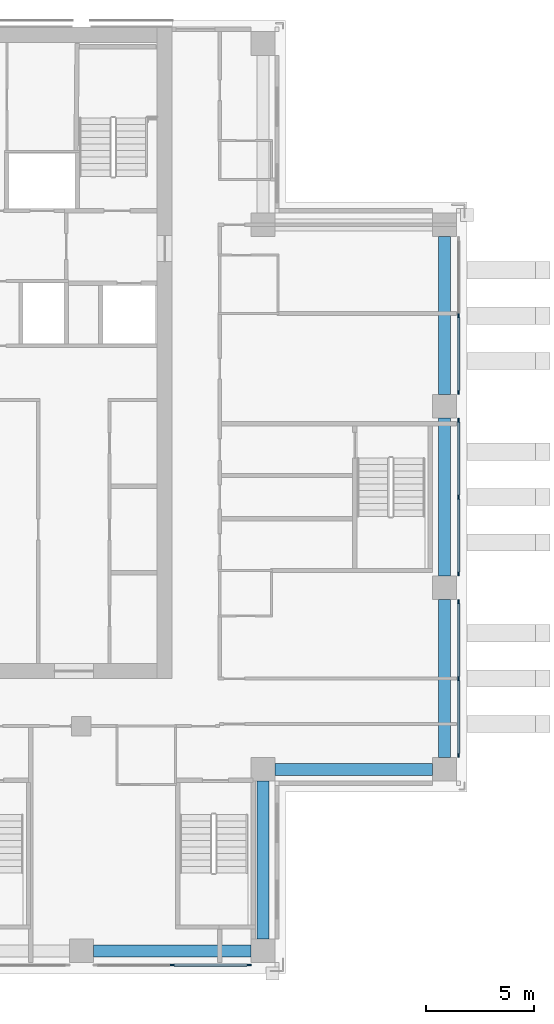
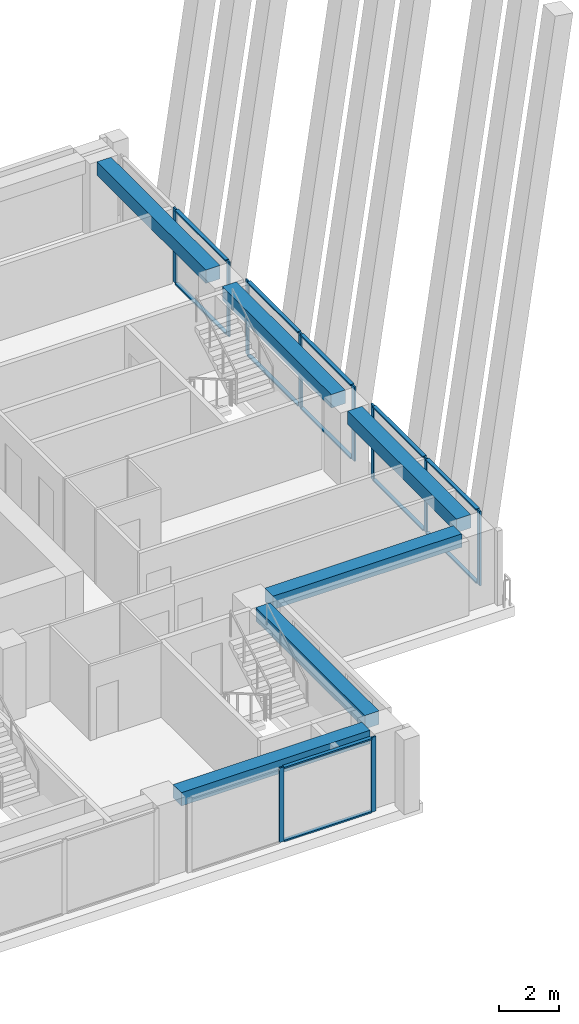
# One storey, part 4 of 15: 22 members, 6 beams, 4 elements without a shape of their own.
"""IFC4 building model written with IfcOpenShell, lengths in metres."""

import ifcopenshell
import ifcopenshell.guid

model = None  # the IFC model being written
_history = None  # IfcOwnerHistory: only IFC2X3 demands one
_inside = {}  # id of a spatial element -> (the spatial element, [elements in it])
_under = {}  # id of a project, library or spatial element -> (it, [spatial elements below it])
_declared = {}  # id of a project -> (the project, [libraries it declares])
_typed = {}  # id of a type object -> (the type object, [elements of that type])
_made_of = {}  # id of a material, layer set ... -> (it, [elements and type objects made of it])


def new_model(schema):
    """Start an empty IFC model of exactly this schema.

    Asked for "IFC4X3", IfcOpenShell would pick the latest addendum, in which some entities
    have other attributes; the version numbers below select the first issue.
    IFC2X3 requires an IfcOwnerHistory on every rooted entity: one is made here for all.
    """
    global model, _history
    if schema == "IFC4X3":
        model = ifcopenshell.file(schema_version=(4, 3, 0, 0))
    else:
        model = ifcopenshell.file(schema=schema)
    _inside.clear()
    _under.clear()
    _declared.clear()
    _typed.clear()
    _made_of.clear()
    _history = None
    if model.schema == "IFC2X3":
        org = make("IfcOrganization", Name="unknown")
        user = make(
            "IfcPersonAndOrganization",
            ThePerson=make("IfcPerson", FamilyName="unknown"),
            TheOrganization=org,
        )
        app = make(
            "IfcApplication",
            ApplicationDeveloper=org,
            Version="unknown",
            ApplicationFullName="unknown",
            ApplicationIdentifier="unknown",
        )
        _history = make(
            "IfcOwnerHistory",
            OwningUser=user,
            OwningApplication=app,
            ChangeAction="ADDED",
            CreationDate=0,
        )
    return model


def make(cls, **values):
    """One entity of the class cls with the attributes given. An attribute that is None is left unset."""
    return model.create_entity(
        cls, **{name: value for name, value in values.items() if value is not None}
    )


def rooted(cls, **values):
    """An entity with a GlobalId (a new one), such as an element, a storey or a relation."""
    return make(cls, GlobalId=ifcopenshell.guid.new(), OwnerHistory=_history, **values)


def si_unit(unit_type, name, prefix=None):
    """IfcSIUnit, for example si_unit("LENGTHUNIT", "METRE", prefix="MILLI")."""
    return make("IfcSIUnit", UnitType=unit_type, Prefix=prefix, Name=name)


def assignment(units):
    """IfcUnitAssignment: the units of a project."""
    return None if units is None else make("IfcUnitAssignment", Units=units)


def point(xyz):
    """IfcCartesianPoint."""
    return None if xyz is None else make("IfcCartesianPoint", Coordinates=xyz)


def direction(xyz):
    """IfcDirection."""
    return None if xyz is None else make("IfcDirection", DirectionRatios=xyz)


def frame(location, z_axis=None, x_axis=None):
    """IfcAxis2Placement3D, a coordinate frame: its origin and axes. An axis left out is left unset."""
    return make(
        "IfcAxis2Placement3D",
        Location=point(location),
        Axis=direction(z_axis),
        RefDirection=direction(x_axis),
    )


def frame_2d(location, x_axis=None):
    """IfcAxis2Placement2D, a coordinate frame in the plane: its origin and x axis."""
    return make(
        "IfcAxis2Placement2D", Location=point(location), RefDirection=direction(x_axis)
    )


def origin():
    """The frame at (0, 0, 0) with its axes left unset."""
    return frame((0.0, 0.0, 0.0))


def origin_2d():
    """The frame at (0, 0) in the plane with its x axis left unset."""
    return frame_2d((0.0, 0.0))


def place(relative_to, where):
    """IfcLocalPlacement: puts the frame where relative to a parent placement (None: the world)."""
    return make(
        "IfcLocalPlacement", PlacementRelTo=relative_to, RelativePlacement=where
    )


def context(
    kind, dimensions, precision=None, world=None, true_north=None, identifier=None
):
    """IfcGeometricRepresentationContext, for example the 3D "Model" context."""
    return make(
        "IfcGeometricRepresentationContext",
        ContextIdentifier=identifier,
        ContextType=kind,
        CoordinateSpaceDimension=dimensions,
        Precision=precision,
        WorldCoordinateSystem=world,
        TrueNorth=true_north,
    )


def subcontext(parent, identifier, kind, view, scale=None):
    """IfcGeometricRepresentationSubContext, for example "Body" below "Model"."""
    return make(
        "IfcGeometricRepresentationSubContext",
        ContextIdentifier=identifier,
        ContextType=kind,
        ParentContext=parent,
        TargetScale=scale,
        TargetView=view,
    )


def project(units=None, contexts=None):
    """IfcProject with its units and contexts."""
    return rooted(
        "IfcProject",
        Name="project",
        RepresentationContexts=contexts,
        UnitsInContext=assignment(units),
    )


def spatial(cls, under=None, at=None, **own):
    """A site, building, storey or space (cls), placed at a placement, below another one or the project."""
    s = rooted(cls, ObjectPlacement=at, **own)
    if under is not None:
        _under.setdefault(under.id(), (under, []))[1].append(s)
    return s


def profile(cls, at=None, kind="AREA", **sizes):
    """A parametric profile (cls). Its sizes go by their IFC names, for example OverallWidth=200.0."""
    return make(cls, ProfileType=kind, Position=at, **sizes)


def rectangle(**sizes):
    """IfcRectangleProfileDef."""
    return profile("IfcRectangleProfileDef", **sizes)


def extrude(swept, where, along, depth):
    """IfcExtrudedAreaSolid: the profile swept, set in the frame where, extruded along a direction by depth."""
    return make(
        "IfcExtrudedAreaSolid",
        SweptArea=swept,
        Position=where,
        ExtrudedDirection=direction(along),
        Depth=depth,
    )


def shape(context_of_items, identifier, shape_type, items):
    """IfcShapeRepresentation: the items that make up one representation, for example the "Body"."""
    return make(
        "IfcShapeRepresentation",
        ContextOfItems=context_of_items,
        RepresentationIdentifier=identifier,
        RepresentationType=shape_type,
        Items=items,
    )


def material(Name=None, Category=None):
    """IfcMaterial."""
    return make("IfcMaterial", Name=Name, Category=Category)


def material_profile(
    of_material, cross_section, Name=None, Category=None, Priority=None
):
    """IfcMaterialProfile: a cross section and its material."""
    return make(
        "IfcMaterialProfile",
        Name=Name,
        Material=of_material,
        Profile=cross_section,
        Priority=Priority,
        Category=Category,
    )


def profile_set(profiles, Name=None, composite=None):
    """IfcMaterialProfileSet."""
    return make(
        "IfcMaterialProfileSet",
        Name=Name,
        MaterialProfiles=profiles,
        CompositeProfile=composite,
    )


def made_of(thing, what):
    """Note that an element or type object is made of a material, layer set ...; save() writes the relation."""
    if what is not None:
        _made_of.setdefault(what.id(), (what, []))[1].append(thing)
    return thing


def type_object(cls, material=None, **own):
    """A type object (cls), such as IfcWallType, which elements share."""
    return made_of(rooted(cls, **own), material)


def element(
    cls,
    number,
    at=None,
    inside=None,
    cuts=None,
    type_object=None,
    material=None,
    context=None,
    identifier="Body",
    shape_type=None,
    held_by="IfcProductDefinitionShape",
    body=None,
    shapes=None,
    **own,
):
    """One element of the class cls, such as IfcWall. Its Tag is "e" and its number.

    at: its placement. inside: the storey or other place that contains it. cuts: it is an
    opening in that element (IfcRelVoidsElement). A single representation is given by context,
    identifier, shape_type and body (its items); several are given by shapes. held_by: the class
    of the entity that holds the representations. save() writes the other relations.
    """
    e = rooted(cls, Tag="e%d" % number, ObjectPlacement=at, **own)
    if body is not None:
        shapes = [shape(context, identifier, shape_type, body)]
    if shapes is not None:
        e.Representation = make(held_by, Representations=shapes)
    if inside is not None:
        _inside.setdefault(inside.id(), (inside, []))[1].append(e)
    if cuts is not None:
        rooted(
            "IfcRelVoidsElement", RelatingBuildingElement=cuts, RelatedOpeningElement=e
        )
    if type_object is not None:
        _typed.setdefault(type_object.id(), (type_object, []))[1].append(e)
    return made_of(e, material)


def aggregate(whole, parts):
    """IfcRelAggregates: a whole, such as a stair, and the parts it consists of."""
    return rooted("IfcRelAggregates", RelatingObject=whole, RelatedObjects=parts)


def save(model, path):
    """Write the relations noted so far, then the file.

    IfcRelAggregates (storeys below a building ...), IfcRelContainedInSpatialStructure (elements
    in a storey), IfcRelDefinesByType, IfcRelAssociatesMaterial and IfcRelDeclares: one each for
    every whole, place, type object, material and project.
    """
    for whole, parts in _under.values():
        aggregate(whole, parts)
    for where, things in _inside.values():
        rooted(
            "IfcRelContainedInSpatialStructure",
            RelatedElements=things,
            RelatingStructure=where,
        )
    for kind, things in _typed.values():
        rooted("IfcRelDefinesByType", RelatedObjects=things, RelatingType=kind)
    for what, things in _made_of.values():
        rooted("IfcRelAssociatesMaterial", RelatedObjects=things, RelatingMaterial=what)
    for by, libraries in _declared.values():
        rooted("IfcRelDeclares", RelatingContext=by, RelatedDefinitions=libraries)
    model.write(path)


model = new_model("IFC4")

# Units and contexts
model_context = context("Model", 3, precision=1e-05, world=origin(), true_north=direction((0.0, 1.0)))
body_context = subcontext(model_context, "Body", "Model", "MODEL_VIEW")
ifc_project = project(units=[si_unit("LENGTHUNIT", "METRE"), si_unit("AREAUNIT", "SQUARE_METRE"), si_unit("VOLUMEUNIT", "CUBIC_METRE"), si_unit("PLANEANGLEUNIT", "RADIAN"), si_unit("MASSUNIT", "GRAM", prefix="KILO")], contexts=[model_context])

# Site, building, storey
site_placement = place(None, origin())
site = spatial("IfcSite", under=ifc_project, at=site_placement, CompositionType="ELEMENT")
building_placement = place(site_placement, origin())
building = spatial("IfcBuilding", under=site, at=building_placement, Name="Vermilion Ogive Tower", CompositionType="ELEMENT")
storey_placement = place(building_placement, frame((0.0, 0.0, 153.800048828125)))
storey = spatial("IfcBuildingStorey", under=building, at=storey_placement, Name="L39", CompositionType="ELEMENT", Elevation=153.800048828125)

# Curtain wall, members
ifc_material_1 = material(Name="Low-iron laminated glazing in aluminium frame", Category="aluminium")
curtain_wall_type = type_object("IfcCurtainWallType", Name="Curtain wall CW7", PredefinedType="NOTDEFINED", material=ifc_material_1)
curtain_wall_1_placement = place(storey_placement, origin())
curtain_wall_1 = element("IfcCurtainWall", 1, at=curtain_wall_1_placement, inside=storey, type_object=curtain_wall_type, Name="Glazed skin S3", PredefinedType="NOTDEFINED")
ifc_material_2 = material(Name="Aluminium mullion", Category="aluminium")
ifc_material_profile_1 = material_profile(ifc_material_2, rectangle(XDim=0.06005859375, YDim=0.179931640625, at=origin_2d()), Name="AL 60x180")
ifc_profile_set_1 = profile_set([ifc_material_profile_1], Name="Aluminium mullion")
member_type_1 = type_object("IfcMemberType", Name="CW7 mullion 60x180", PredefinedType="MULLION", material=ifc_profile_set_1)
member_1_placement = place(storey_placement, frame((8.39990234375, -21.64990234375, 0.0), z_axis=(0.0, 0.0, 1.0), x_axis=(0.0, 1.0, 0.0)))
member_1 = element("IfcMember", 2, at=member_1_placement, type_object=member_type_1, Name="CW7-S3 mullion 2", PredefinedType="MULLION", context=body_context, shape_type="SweptSolid", body=[
    extrude(rectangle(XDim=0.06005859375, YDim=0.179931640625, at=origin_2d()), origin(), (0.0, 0.0, 1.0), 3.050048828125),
])
member_2_placement = place(storey_placement, frame((11.9599609375, -21.64990234375, 0.0), z_axis=(0.0, 0.0, 1.0), x_axis=(0.0, 1.0, 0.0)))
member_2 = element("IfcMember", 3, at=member_2_placement, type_object=member_type_1, Name="CW7-S3 mullion 3", PredefinedType="MULLION", context=body_context, shape_type="SweptSolid", body=[
    extrude(rectangle(XDim=0.06005859375, YDim=0.179931640625, at=origin_2d()), origin(), (0.0, 0.0, 1.0), 3.050048828125),
])

curtain_wall_2_placement = place(storey_placement, origin())
curtain_wall_2 = element("IfcCurtainWall", 4, at=curtain_wall_2_placement, inside=storey, type_object=curtain_wall_type, Name="Glazed skin E1", PredefinedType="NOTDEFINED")
member_3_placement = place(storey_placement, frame((21.64990234375, -11.9599609375, 0.0), z_axis=(0.0, 0.0, 1.0), x_axis=(-1.0, 0.0, 0.0)))
member_3 = element("IfcMember", 5, at=member_3_placement, type_object=member_type_1, Name="CW7-E1 mullion 1", PredefinedType="MULLION", context=body_context, shape_type="SweptSolid", body=[
    extrude(rectangle(XDim=0.06005859375, YDim=0.179931640625, at=origin_2d()), origin(), (0.0, 0.0, 1.0), 3.050048828125),
])
member_4_placement = place(storey_placement, frame((21.64990234375, -8.39990234375, 0.0), z_axis=(0.0, 0.0, 1.0), x_axis=(-1.0, 0.0, 0.0)))
member_4 = element("IfcMember", 6, at=member_4_placement, type_object=member_type_1, Name="CW7-E1 mullion 2", PredefinedType="MULLION", context=body_context, shape_type="SweptSolid", body=[
    extrude(rectangle(XDim=0.06005859375, YDim=0.179931640625, at=origin_2d()), origin(), (0.0, 0.0, 1.0), 3.050048828125),
])
member_5_placement = place(storey_placement, frame((21.64990234375, -4.840087890625, 0.0), z_axis=(0.0, 0.0, 1.0), x_axis=(-1.0, 0.0, 0.0)))
member_5 = element("IfcMember", 7, at=member_5_placement, type_object=member_type_1, Name="CW7-E1 mullion 3", PredefinedType="MULLION", context=body_context, shape_type="SweptSolid", body=[
    extrude(rectangle(XDim=0.06005859375, YDim=0.179931640625, at=origin_2d()), origin(), (0.0, 0.0, 1.0), 3.050048828125),
])

curtain_wall_3_placement = place(storey_placement, origin())
curtain_wall_3 = element("IfcCurtainWall", 8, at=curtain_wall_3_placement, inside=storey, type_object=curtain_wall_type, Name="Glazed skin E2", PredefinedType="NOTDEFINED")
member_6_placement = place(storey_placement, frame((21.64990234375, -3.56005859375, 0.0), z_axis=(0.0, 0.0, 1.0), x_axis=(-1.0, 0.0, 0.0)))
member_6 = element("IfcMember", 9, at=member_6_placement, type_object=member_type_1, Name="CW7-E2 mullion 1", PredefinedType="MULLION", context=body_context, shape_type="SweptSolid", body=[
    extrude(rectangle(XDim=0.06005859375, YDim=0.179931640625, at=origin_2d()), origin(), (0.0, 0.0, 1.0), 3.050048828125),
])
member_7_placement = place(storey_placement, frame((21.64990234375, 0.0, 0.0), z_axis=(0.0, 0.0, 1.0), x_axis=(-1.0, 0.0, 0.0)))
member_7 = element("IfcMember", 10, at=member_7_placement, type_object=member_type_1, Name="CW7-E2 mullion 2", PredefinedType="MULLION", context=body_context, shape_type="SweptSolid", body=[
    extrude(rectangle(XDim=0.06005859375, YDim=0.179931640625, at=origin_2d()), origin(), (0.0, 0.0, 1.0), 3.050048828125),
])
member_8_placement = place(storey_placement, frame((21.64990234375, 3.56005859375, 0.0), z_axis=(0.0, 0.0, 1.0), x_axis=(-1.0, 0.0, 0.0)))
member_8 = element("IfcMember", 11, at=member_8_placement, type_object=member_type_1, Name="CW7-E2 mullion 3", PredefinedType="MULLION", context=body_context, shape_type="SweptSolid", body=[
    extrude(rectangle(XDim=0.06005859375, YDim=0.179931640625, at=origin_2d()), origin(), (0.0, 0.0, 1.0), 3.050048828125),
])

curtain_wall_4_placement = place(storey_placement, origin())
curtain_wall_4 = element("IfcCurtainWall", 12, at=curtain_wall_4_placement, inside=storey, type_object=curtain_wall_type, Name="Glazed skin E3", PredefinedType="NOTDEFINED")
member_9_placement = place(storey_placement, frame((21.64990234375, 4.840087890625, 0.0), z_axis=(0.0, 0.0, 1.0), x_axis=(-1.0, 0.0, 0.0)))
member_9 = element("IfcMember", 13, at=member_9_placement, type_object=member_type_1, Name="CW7-E3 mullion 1", PredefinedType="MULLION", context=body_context, shape_type="SweptSolid", body=[
    extrude(rectangle(XDim=0.06005859375, YDim=0.179931640625, at=origin_2d()), origin(), (0.0, 0.0, 1.0), 3.050048828125),
])
member_10_placement = place(storey_placement, frame((21.64990234375, 8.39990234375, 0.0), z_axis=(0.0, 0.0, 1.0), x_axis=(-1.0, 0.0, 0.0)))
member_10 = element("IfcMember", 14, at=member_10_placement, type_object=member_type_1, Name="CW7-E3 mullion 2", PredefinedType="MULLION", context=body_context, shape_type="SweptSolid", body=[
    extrude(rectangle(XDim=0.06005859375, YDim=0.179931640625, at=origin_2d()), origin(), (0.0, 0.0, 1.0), 3.050048828125),
])

# Member
ifc_material_3 = material(Name="Aluminium transom", Category="aluminium")
ifc_material_profile_2 = material_profile(ifc_material_3, rectangle(XDim=0.139892578125, YDim=0.06005859375, at=origin_2d()), Name="AL 60x140")
ifc_profile_set_2 = profile_set([ifc_material_profile_2], Name="Aluminium transom")
member_type_2 = type_object("IfcMemberType", Name="CW7 transom 60x140", PredefinedType="USERDEFINED", material=ifc_profile_set_2)
member_11_placement = place(storey_placement, frame((8.489990234375, -21.64990234375, 0.030029296875), z_axis=(1.0, 0.0, 0.0), x_axis=(0.0, 1.0, 0.0)))
member_11 = element("IfcMember", 15, at=member_11_placement, type_object=member_type_2, Name="CW7-S3 transom 2.1", ObjectType="TRANSOM", PredefinedType="USERDEFINED", context=body_context, shape_type="SweptSolid", body=[
    extrude(rectangle(XDim=0.139892578125, YDim=0.06005859375, at=origin_2d()), origin(), (0.0, 0.0, 1.0), 3.380126953125),
])

member_12_placement = place(storey_placement, frame((8.489990234375, -21.64990234375, 3.02001953125), z_axis=(1.0, 0.0, 0.0), x_axis=(0.0, 1.0, 0.0)))
member_12 = element("IfcMember", 16, at=member_12_placement, type_object=member_type_2, Name="CW7-S3 transom 2.2", ObjectType="TRANSOM", PredefinedType="USERDEFINED", context=body_context, shape_type="SweptSolid", body=[
    extrude(rectangle(XDim=0.139892578125, YDim=0.06005859375, at=origin_2d()), origin(), (0.0, 0.0, 1.0), 3.380126953125),
])

aggregate(curtain_wall_1, [member_1, member_2, member_11, member_12])

member_13_placement = place(storey_placement, frame((21.64990234375, -11.8701171875, 0.030029296875), z_axis=(0.0, 1.0, 0.0), x_axis=(-1.0, 0.0, 0.0)))
member_13 = element("IfcMember", 17, at=member_13_placement, type_object=member_type_2, Name="CW7-E1 transom 1.1", ObjectType="TRANSOM", PredefinedType="USERDEFINED", context=body_context, shape_type="SweptSolid", body=[
    extrude(rectangle(XDim=0.139892578125, YDim=0.06005859375, at=origin_2d()), origin(), (0.0, 0.0, 1.0), 3.380126953125),
])

member_14_placement = place(storey_placement, frame((21.64990234375, -11.8701171875, 3.02001953125), z_axis=(0.0, 1.0, 0.0), x_axis=(-1.0, 0.0, 0.0)))
member_14 = element("IfcMember", 18, at=member_14_placement, type_object=member_type_2, Name="CW7-E1 transom 1.2", ObjectType="TRANSOM", PredefinedType="USERDEFINED", context=body_context, shape_type="SweptSolid", body=[
    extrude(rectangle(XDim=0.139892578125, YDim=0.06005859375, at=origin_2d()), origin(), (0.0, 0.0, 1.0), 3.380126953125),
])

member_15_placement = place(storey_placement, frame((21.64990234375, -8.31005859375, 0.030029296875), z_axis=(0.0, 1.0, 0.0), x_axis=(-1.0, 0.0, 0.0)))
member_15 = element("IfcMember", 19, at=member_15_placement, type_object=member_type_2, Name="CW7-E1 transom 2.1", ObjectType="TRANSOM", PredefinedType="USERDEFINED", context=body_context, shape_type="SweptSolid", body=[
    extrude(rectangle(XDim=0.139892578125, YDim=0.06005859375, at=origin_2d()), origin(), (0.0, 0.0, 1.0), 3.380126953125),
])

member_16_placement = place(storey_placement, frame((21.64990234375, -8.31005859375, 3.02001953125), z_axis=(0.0, 1.0, 0.0), x_axis=(-1.0, 0.0, 0.0)))
member_16 = element("IfcMember", 20, at=member_16_placement, type_object=member_type_2, Name="CW7-E1 transom 2.2", ObjectType="TRANSOM", PredefinedType="USERDEFINED", context=body_context, shape_type="SweptSolid", body=[
    extrude(rectangle(XDim=0.139892578125, YDim=0.06005859375, at=origin_2d()), origin(), (0.0, 0.0, 1.0), 3.380126953125),
])

aggregate(curtain_wall_2, [member_3, member_4, member_5, member_13, member_14, member_15, member_16])

member_17_placement = place(storey_placement, frame((21.64990234375, -3.469970703125, 0.030029296875), z_axis=(0.0, 1.0, 0.0), x_axis=(-1.0, 0.0, 0.0)))
member_17 = element("IfcMember", 21, at=member_17_placement, type_object=member_type_2, Name="CW7-E2 transom 1.1", ObjectType="TRANSOM", PredefinedType="USERDEFINED", context=body_context, shape_type="SweptSolid", body=[
    extrude(rectangle(XDim=0.139892578125, YDim=0.06005859375, at=origin_2d()), origin(), (0.0, 0.0, 1.0), 3.3798828125),
])

member_18_placement = place(storey_placement, frame((21.64990234375, -3.469970703125, 3.02001953125), z_axis=(0.0, 1.0, 0.0), x_axis=(-1.0, 0.0, 0.0)))
member_18 = element("IfcMember", 22, at=member_18_placement, type_object=member_type_2, Name="CW7-E2 transom 1.2", ObjectType="TRANSOM", PredefinedType="USERDEFINED", context=body_context, shape_type="SweptSolid", body=[
    extrude(rectangle(XDim=0.139892578125, YDim=0.06005859375, at=origin_2d()), origin(), (0.0, 0.0, 1.0), 3.3798828125),
])

member_19_placement = place(storey_placement, frame((21.64990234375, 0.090087890625, 0.030029296875), z_axis=(0.0, 1.0, 0.0), x_axis=(-1.0, 0.0, 0.0)))
member_19 = element("IfcMember", 23, at=member_19_placement, type_object=member_type_2, Name="CW7-E2 transom 2.1", ObjectType="TRANSOM", PredefinedType="USERDEFINED", context=body_context, shape_type="SweptSolid", body=[
    extrude(rectangle(XDim=0.139892578125, YDim=0.06005859375, at=origin_2d()), origin(), (0.0, 0.0, 1.0), 3.3798828125),
])

member_20_placement = place(storey_placement, frame((21.64990234375, 0.090087890625, 3.02001953125), z_axis=(0.0, 1.0, 0.0), x_axis=(-1.0, 0.0, 0.0)))
member_20 = element("IfcMember", 24, at=member_20_placement, type_object=member_type_2, Name="CW7-E2 transom 2.2", ObjectType="TRANSOM", PredefinedType="USERDEFINED", context=body_context, shape_type="SweptSolid", body=[
    extrude(rectangle(XDim=0.139892578125, YDim=0.06005859375, at=origin_2d()), origin(), (0.0, 0.0, 1.0), 3.3798828125),
])

aggregate(curtain_wall_3, [member_6, member_7, member_8, member_17, member_18, member_19, member_20])

member_21_placement = place(storey_placement, frame((21.64990234375, 4.929931640625, 0.030029296875), z_axis=(0.0, 1.0, 0.0), x_axis=(-1.0, 0.0, 0.0)))
member_21 = element("IfcMember", 25, at=member_21_placement, type_object=member_type_2, Name="CW7-E3 transom 1.1", ObjectType="TRANSOM", PredefinedType="USERDEFINED", context=body_context, shape_type="SweptSolid", body=[
    extrude(rectangle(XDim=0.139892578125, YDim=0.06005859375, at=origin_2d()), origin(), (0.0, 0.0, 1.0), 3.380126953125),
])

member_22_placement = place(storey_placement, frame((21.64990234375, 4.929931640625, 3.02001953125), z_axis=(0.0, 1.0, 0.0), x_axis=(-1.0, 0.0, 0.0)))
member_22 = element("IfcMember", 26, at=member_22_placement, type_object=member_type_2, Name="CW7-E3 transom 1.2", ObjectType="TRANSOM", PredefinedType="USERDEFINED", context=body_context, shape_type="SweptSolid", body=[
    extrude(rectangle(XDim=0.139892578125, YDim=0.06005859375, at=origin_2d()), origin(), (0.0, 0.0, 1.0), 3.380126953125),
])

aggregate(curtain_wall_4, [member_9, member_10, member_21, member_22])

# Beams
ifc_material_4 = material(Name="Concrete B45", Category="concrete")
ifc_material_profile_3 = material_profile(ifc_material_4, rectangle(XDim=0.550048828125, YDim=0.550048828125, at=origin_2d()), Name="550 x 550")
ifc_profile_set_3 = profile_set([ifc_material_profile_3], Name="Concrete B45")
beam_type = type_object("IfcBeamType", Name="Edge beam 550 x 550 B45", PredefinedType="BEAM", material=ifc_profile_set_3)
for number, where, z_axis, x_axis, name in (
    (27, (4.75, -21.0, 2.77490234375), (1.0, 0.0, 0.0), (0.0, 1.0, 0.0), "L39-EB-3"),
    (28, (12.60009765625, -20.449951171875, 2.77490234375), (0.0, 1.0, 0.0), (-1.0, 0.0, 0.0), "L39-EB-4"),
    (29, (13.14990234375, -12.60009765625, 2.77490234375), (1.0, 0.0, 0.0), (0.0, 1.0, 0.0), "L39-EB-5"),
    (30, (21.0, -12.050048828125, 2.77490234375), (0.0, 1.0, 0.0), (-1.0, 0.0, 0.0), "L39-EB-6"),
):
    element("IfcBeam", number, at=place(storey_placement, frame(where, z_axis=z_axis, x_axis=x_axis)), inside=storey, type_object=beam_type, Name=name, PredefinedType="BEAM", context=body_context, shape_type="SweptSolid", body=[
        extrude(rectangle(XDim=0.550048828125, YDim=0.550048828125, at=origin_2d()), origin(), (0.0, 0.0, 1.0), 7.300048828125),
    ])
beam_1_placement = place(storey_placement, frame((21.0, -3.64990234375, 2.77490234375), z_axis=(0.0, 1.0, 0.0), x_axis=(-1.0, 0.0, 0.0)))
element("IfcBeam", 31, at=beam_1_placement, inside=storey, type_object=beam_type, Name="L39-EB-7", PredefinedType="BEAM", context=body_context, shape_type="SweptSolid", body=[
    extrude(rectangle(XDim=0.550048828125, YDim=0.550048828125, at=origin_2d()), origin(), (0.0, 0.0, 1.0), 7.2998046875),
])
beam_2_placement = place(storey_placement, frame((21.0, 4.75, 2.77490234375), z_axis=(0.0, 1.0, 0.0), x_axis=(-1.0, 0.0, 0.0)))
element("IfcBeam", 32, at=beam_2_placement, inside=storey, type_object=beam_type, Name="L39-EB-8", PredefinedType="BEAM", context=body_context, shape_type="SweptSolid", body=[
    extrude(rectangle(XDim=0.550048828125, YDim=0.550048828125, at=origin_2d()), origin(), (0.0, 0.0, 1.0), 7.300048828125),
])

save(model, "model.ifc")
